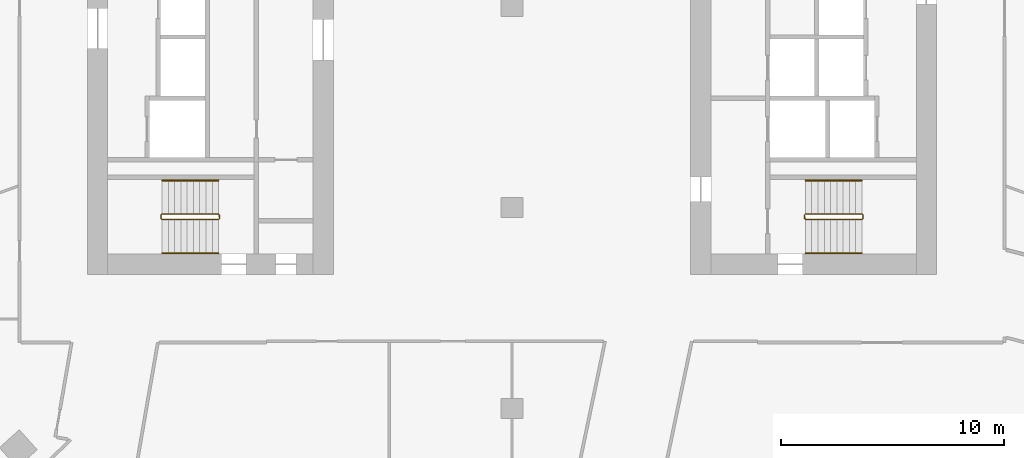
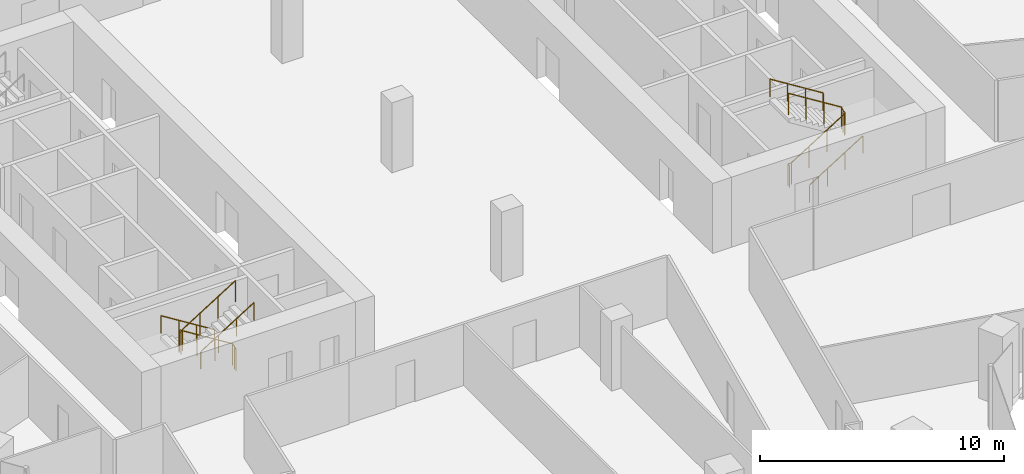
# One storey, part 30 of 32: 6 railings.
"""IFC4 building model written with IfcOpenShell, lengths in metres."""

from ifc_helpers import new_model, si_unit, direction, frame, origin, origin_2d, place, context, subcontext, project, spatial, circle, extrude, material, type_object, element, save


model = new_model("IFC4")

# Units and contexts
model_context = context("Model", 3, precision=1e-05, world=origin(), true_north=direction((0.0, 1.0)))
body_context = subcontext(model_context, "Body", "Model", "MODEL_VIEW")
ifc_project = project(units=[si_unit("LENGTHUNIT", "METRE"), si_unit("AREAUNIT", "SQUARE_METRE"), si_unit("VOLUMEUNIT", "CUBIC_METRE"), si_unit("PLANEANGLEUNIT", "RADIAN"), si_unit("MASSUNIT", "GRAM", prefix="KILO")], contexts=[model_context])

# Site, building, storey
site_placement = place(None, origin())
site = spatial("IfcSite", under=ifc_project, at=site_placement, CompositionType="ELEMENT")
building_placement = place(site_placement, origin())
building = spatial("IfcBuilding", under=site, at=building_placement, Name="Orlundy Tower", CompositionType="ELEMENT")
storey_placement = place(building_placement, frame((0.0, 0.0, 152.60009765625)))
storey = spatial("IfcBuildingStorey", under=building, at=storey_placement, Name="L39", CompositionType="ELEMENT", Elevation=152.60009765625)

# Railings
ifc_material_1 = material(Name="Steel balustrade", Category="steel")
railing_type_1 = type_object("IfcRailingType", Name="Stair Guard 1100", PredefinedType="GUARDRAIL", material=ifc_material_1)
railing_1_placement = place(storey_placement, frame((-13.090087890625, -9.35009765625, 0.0)))
element("IfcRailing", 1, at=railing_1_placement, inside=storey, type_object=railing_type_1, Name="L39 ST-W2 stair guard 1", PredefinedType="GUARDRAIL", context=body_context, shape_type="SweptSolid", body=[
    extrude(circle(Radius=0.02392578125, at=origin_2d()), frame((0.0, 0.0, 1.076171875), z_axis=(0.0, -1.0, 0.0), x_axis=(1.0, 0.0, 0.0)), (0.0, 0.0, 1.0), 0.14990234375),
    extrude(circle(Radius=0.02392578125, at=origin_2d()), frame((0.0, -0.14990234375, 1.076171875), z_axis=(-0.184313129624, 0.739963005698, 0.646902945152), x_axis=(-0.970351222016, -0.241699205484, 0.0)), (0.0, 0.0, 1.0), 0.270263671875),
    extrude(circle(Radius=0.02392578125, at=origin_2d()), frame((-0.0498046875, 0.050048828125, 1.2509765625), z_axis=(-0.847970611238, 0.0, 0.530043245855), x_axis=(0.0, -1.0, 0.0)), (0.0, 0.0, 1.0), 2.971923828125),
    extrude(circle(Radius=0.02392578125, at=origin_2d()), frame((-2.56982421875, 0.050048828125, 2.826171875), z_axis=(-0.707106781187, -0.707106781187, 0.0), x_axis=(0.707106781187, -0.707106781187, 0.0)), (0.0, 0.0, 1.0), 0.07080078125),
    extrude(circle(Radius=0.02392578125, at=origin_2d()), frame((-2.619873046875, 0.0, 2.826171875), z_axis=(0.0, -1.0, 0.0), x_axis=(1.0, 0.0, 0.0)), (0.0, 0.0, 1.0), 0.14990234375),
    extrude(circle(Radius=0.02392578125, at=origin_2d()), frame((-2.619873046875, -0.14990234375, 2.826171875), z_axis=(0.265383341853, -0.265383341853, 0.926899867156), x_axis=(0.707106781187, 0.707106781187, 0.0)), (0.0, 0.0, 1.0), 0.1884765625),
    extrude(circle(Radius=0.02392578125, at=origin_2d()), frame((-2.56982421875, -0.199951171875, 3.0009765625), z_axis=(0.847970611238, 0.0, 0.530043245855), x_axis=(0.0, 1.0, 0.0)), (0.0, 0.0, 1.0), 2.971923828125),
    extrude(circle(Radius=0.02099609375, at=origin_2d()), origin(), (0.0, 0.0, 1.0), 1.052001953125),
    extrude(circle(Radius=0.02099609375, at=origin_2d()), frame((0.0, -0.14990234375, 0.0)), (0.0, 0.0, 1.0), 1.052001953125),
    extrude(circle(Radius=0.02099609375, at=origin_2d()), frame((-0.0498046875, 0.050048828125, 0.1748046875)), (0.0, 0.0, 1.0), 1.052001953125),
    extrude(circle(Radius=0.02099609375, at=origin_2d()), frame((-0.889892578125, 0.050048828125, 0.699951171875)), (0.0, 0.0, 1.0), 1.052001953125),
    extrude(circle(Radius=0.02099609375, at=origin_2d()), frame((-1.729736328125, 0.050048828125, 1.224853515625)), (0.0, 0.0, 1.0), 1.052001953125),
    extrude(circle(Radius=0.02099609375, at=origin_2d()), frame((-2.56982421875, 0.050048828125, 1.75)), (0.0, 0.0, 1.0), 1.052001953125),
    extrude(circle(Radius=0.02099609375, at=origin_2d()), frame((-2.619873046875, 0.0, 1.75)), (0.0, 0.0, 1.0), 1.052001953125),
    extrude(circle(Radius=0.02099609375, at=origin_2d()), frame((-2.619873046875, -0.14990234375, 1.75)), (0.0, 0.0, 1.0), 1.052001953125),
    extrude(circle(Radius=0.02099609375, at=origin_2d()), frame((-2.56982421875, -0.199951171875, 1.9248046875)), (0.0, 0.0, 1.0), 1.052001953125),
    extrude(circle(Radius=0.02099609375, at=origin_2d()), frame((-1.729736328125, -0.199951171875, 2.449951171875)), (0.0, 0.0, 1.0), 1.052001953125),
    extrude(circle(Radius=0.02099609375, at=origin_2d()), frame((-0.889892578125, -0.199951171875, 2.974853515625)), (0.0, 0.0, 1.0), 1.052001953125),
    extrude(circle(Radius=0.02099609375, at=origin_2d()), frame((-0.0498046875, -0.199951171875, 3.5)), (0.0, 0.0, 1.0), 1.052001953125),
])
railing_2_placement = place(storey_placement, frame((13.090087890625, -9.5, 0.0)))
element("IfcRailing", 2, at=railing_2_placement, inside=storey, type_object=railing_type_1, Name="L39 ST-E1 stair guard 1", PredefinedType="GUARDRAIL", context=body_context, shape_type="SweptSolid", body=[
    extrude(circle(Radius=0.02392578125, at=origin_2d()), frame((0.0, 0.0, 1.076171875), z_axis=(0.0, 1.0, 0.0), x_axis=(-1.0, 0.0, 0.0)), (0.0, 0.0, 1.0), 0.14990234375),
    extrude(circle(Radius=0.02392578125, at=origin_2d()), frame((0.0, 0.14990234375, 1.076171875), z_axis=(0.184313129624, -0.739963005698, 0.646902945152), x_axis=(0.970351222016, 0.241699205484, 0.0)), (0.0, 0.0, 1.0), 0.270263671875),
    extrude(circle(Radius=0.02392578125, at=origin_2d()), frame((0.0498046875, -0.050048828125, 1.2509765625), z_axis=(0.847970611238, 0.0, 0.530043245855), x_axis=(0.0, 1.0, 0.0)), (0.0, 0.0, 1.0), 2.971923828125),
    extrude(circle(Radius=0.02392578125, at=origin_2d()), frame((2.56982421875, -0.050048828125, 2.826171875), z_axis=(0.707106781187, 0.707106781187, 0.0), x_axis=(-0.707106781187, 0.707106781187, 0.0)), (0.0, 0.0, 1.0), 0.07080078125),
    extrude(circle(Radius=0.02392578125, at=origin_2d()), frame((2.619873046875, 0.0, 2.826171875), z_axis=(0.0, 1.0, 0.0), x_axis=(-1.0, 0.0, 0.0)), (0.0, 0.0, 1.0), 0.14990234375),
    extrude(circle(Radius=0.02392578125, at=origin_2d()), frame((2.619873046875, 0.14990234375, 2.826171875), z_axis=(-0.265383341853, 0.265383341853, 0.926899867156), x_axis=(-0.707106781187, -0.707106781187, 0.0)), (0.0, 0.0, 1.0), 0.1884765625),
    extrude(circle(Radius=0.02392578125, at=origin_2d()), frame((2.56982421875, 0.199951171875, 3.0009765625), z_axis=(-0.847970611238, 0.0, 0.530043245855), x_axis=(0.0, -1.0, 0.0)), (0.0, 0.0, 1.0), 2.971923828125),
    extrude(circle(Radius=0.02099609375, at=origin_2d()), origin(), (0.0, 0.0, 1.0), 1.052001953125),
    extrude(circle(Radius=0.02099609375, at=origin_2d()), frame((0.0, 0.14990234375, 0.0)), (0.0, 0.0, 1.0), 1.052001953125),
    extrude(circle(Radius=0.02099609375, at=origin_2d()), frame((0.0498046875, -0.050048828125, 0.1748046875)), (0.0, 0.0, 1.0), 1.052001953125),
    extrude(circle(Radius=0.02099609375, at=origin_2d()), frame((0.889892578125, -0.050048828125, 0.699951171875)), (0.0, 0.0, 1.0), 1.052001953125),
    extrude(circle(Radius=0.02099609375, at=origin_2d()), frame((1.729736328125, -0.050048828125, 1.224853515625)), (0.0, 0.0, 1.0), 1.052001953125),
    extrude(circle(Radius=0.02099609375, at=origin_2d()), frame((2.56982421875, -0.050048828125, 1.75)), (0.0, 0.0, 1.0), 1.052001953125),
    extrude(circle(Radius=0.02099609375, at=origin_2d()), frame((2.619873046875, 0.0, 1.75)), (0.0, 0.0, 1.0), 1.052001953125),
    extrude(circle(Radius=0.02099609375, at=origin_2d()), frame((2.619873046875, 0.14990234375, 1.75)), (0.0, 0.0, 1.0), 1.052001953125),
    extrude(circle(Radius=0.02099609375, at=origin_2d()), frame((2.56982421875, 0.199951171875, 1.9248046875)), (0.0, 0.0, 1.0), 1.052001953125),
    extrude(circle(Radius=0.02099609375, at=origin_2d()), frame((1.729736328125, 0.199951171875, 2.449951171875)), (0.0, 0.0, 1.0), 1.052001953125),
    extrude(circle(Radius=0.02099609375, at=origin_2d()), frame((0.889892578125, 0.199951171875, 2.974853515625)), (0.0, 0.0, 1.0), 1.052001953125),
    extrude(circle(Radius=0.02099609375, at=origin_2d()), frame((0.0498046875, 0.199951171875, 3.5)), (0.0, 0.0, 1.0), 1.052001953125),
])
ifc_material_2 = material(Name="Steel handrail", Category="steel")
railing_type_2 = type_object("IfcRailingType", Name="Stair Handrail 900", PredefinedType="HANDRAIL", material=ifc_material_2)
railing_3_placement = place(storey_placement, frame((-13.139892578125, -7.800048828125, 0.1748046875)))
element("IfcRailing", 3, at=railing_3_placement, inside=storey, type_object=railing_type_2, Name="L39 ST-W2 stair handrail 1", PredefinedType="HANDRAIL", context=body_context, shape_type="SweptSolid", body=[
    extrude(circle(Radius=0.02392578125, at=origin_2d()), frame((0.0, 0.0, 0.8759765625), z_axis=(-0.847970611238, 0.0, 0.530043245855), x_axis=(0.0, -1.0, 0.0)), (0.0, 0.0, 1.0), 2.971923828125),
    extrude(circle(Radius=0.02099609375, at=origin_2d()), origin(), (0.0, 0.0, 1.0), 0.851806640625),
    extrude(circle(Radius=0.02099609375, at=origin_2d()), frame((-0.840087890625, 0.0, 0.525146484375)), (0.0, 0.0, 1.0), 0.851806640625),
    extrude(circle(Radius=0.02099609375, at=origin_2d()), frame((-1.679931640625, 0.0, 1.050048828125)), (0.0, 0.0, 1.0), 0.851806640625),
    extrude(circle(Radius=0.02099609375, at=origin_2d()), frame((-2.52001953125, 0.0, 1.5751953125)), (0.0, 0.0, 1.0), 0.851806640625),
])
for number, where, name in (
    (4, (-15.659912109375, -11.050048828125, 1.9248046875), "L39 ST-W2 stair handrail 2"),
    (5, (13.139892578125, -11.050048828125, 0.1748046875), "L39 ST-E1 stair handrail 1"),
):
    element("IfcRailing", number, at=place(storey_placement, frame(where)), inside=storey, type_object=railing_type_2, Name=name, PredefinedType="HANDRAIL", context=body_context, shape_type="SweptSolid", body=[
        extrude(circle(Radius=0.02392578125, at=origin_2d()), frame((0.0, 0.0, 0.8759765625), z_axis=(0.847970611238, 0.0, 0.530043245855), x_axis=(0.0, 1.0, 0.0)), (0.0, 0.0, 1.0), 2.971923828125),
        extrude(circle(Radius=0.02099609375, at=origin_2d()), origin(), (0.0, 0.0, 1.0), 0.851806640625),
        extrude(circle(Radius=0.02099609375, at=origin_2d()), frame((0.840087890625, 0.0, 0.525146484375)), (0.0, 0.0, 1.0), 0.851806640625),
        extrude(circle(Radius=0.02099609375, at=origin_2d()), frame((1.679931640625, 0.0, 1.050048828125)), (0.0, 0.0, 1.0), 0.851806640625),
        extrude(circle(Radius=0.02099609375, at=origin_2d()), frame((2.52001953125, 0.0, 1.5751953125)), (0.0, 0.0, 1.0), 0.851806640625),
    ])
railing_4_placement = place(storey_placement, frame((15.659912109375, -7.800048828125, 1.9248046875)))
element("IfcRailing", 6, at=railing_4_placement, inside=storey, type_object=railing_type_2, Name="L39 ST-E1 stair handrail 2", PredefinedType="HANDRAIL", context=body_context, shape_type="SweptSolid", body=[
    extrude(circle(Radius=0.02392578125, at=origin_2d()), frame((0.0, 0.0, 0.8759765625), z_axis=(-0.847970611238, 0.0, 0.530043245855), x_axis=(0.0, -1.0, 0.0)), (0.0, 0.0, 1.0), 2.971923828125),
    extrude(circle(Radius=0.02099609375, at=origin_2d()), origin(), (0.0, 0.0, 1.0), 0.851806640625),
    extrude(circle(Radius=0.02099609375, at=origin_2d()), frame((-0.840087890625, 0.0, 0.525146484375)), (0.0, 0.0, 1.0), 0.851806640625),
    extrude(circle(Radius=0.02099609375, at=origin_2d()), frame((-1.679931640625, 0.0, 1.050048828125)), (0.0, 0.0, 1.0), 0.851806640625),
    extrude(circle(Radius=0.02099609375, at=origin_2d()), frame((-2.52001953125, 0.0, 1.5751953125)), (0.0, 0.0, 1.0), 0.851806640625),
])

save(model, "model.ifc")
